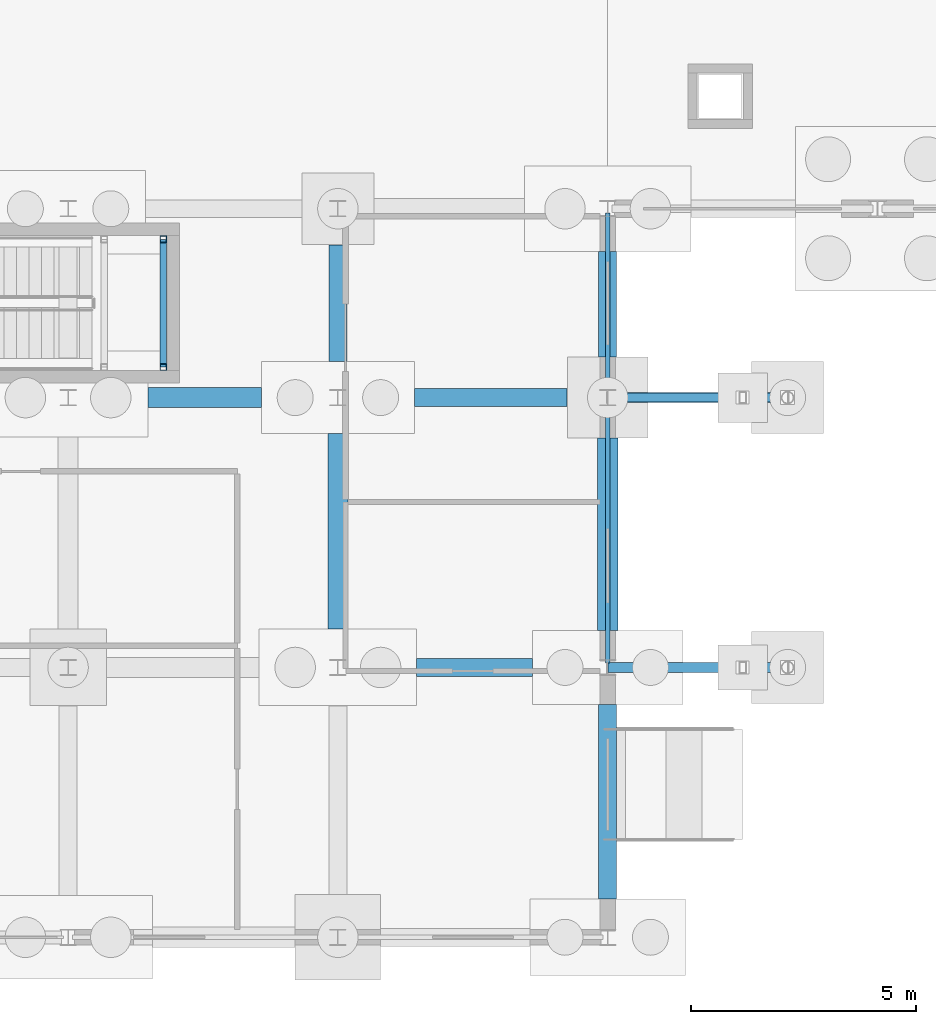
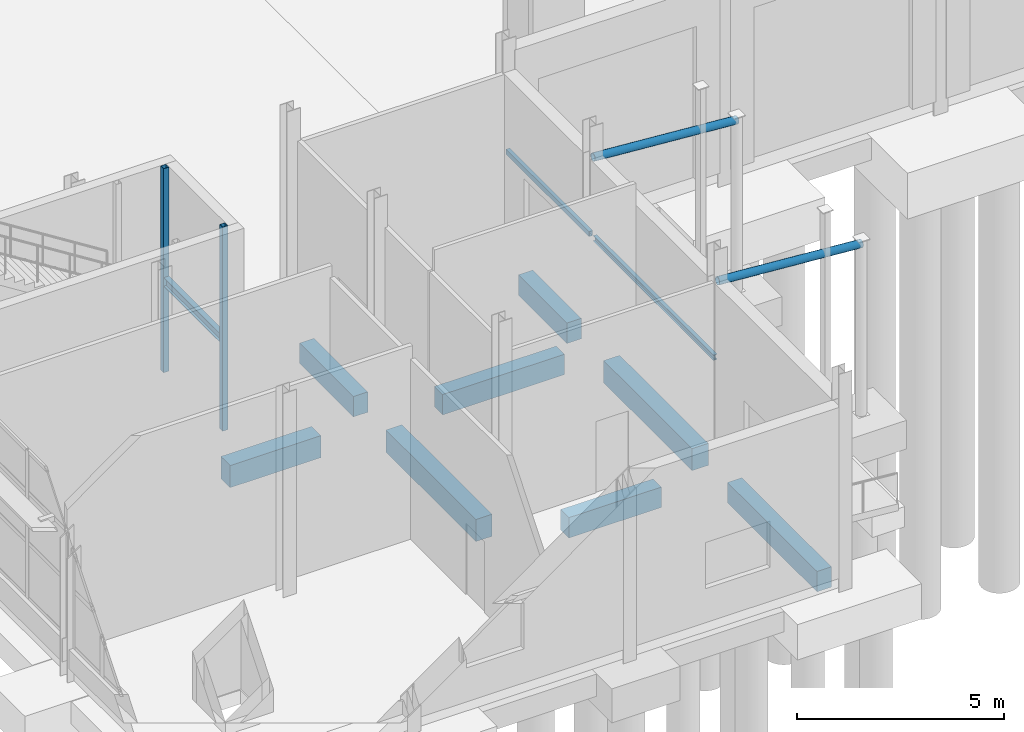
# One storey, part 32 of 120: 11 beams, 4 members.
"""IFC4 building model written with IfcOpenShell, lengths in metres."""

import ifcopenshell
import ifcopenshell.guid

model = None  # the IFC model being written
_history = None  # IfcOwnerHistory: only IFC2X3 demands one
_inside = {}  # id of a spatial element -> (the spatial element, [elements in it])
_under = {}  # id of a project, library or spatial element -> (it, [spatial elements below it])
_declared = {}  # id of a project -> (the project, [libraries it declares])
_typed = {}  # id of a type object -> (the type object, [elements of that type])
_made_of = {}  # id of a material, layer set ... -> (it, [elements and type objects made of it])


def new_model(schema):
    """Start an empty IFC model of exactly this schema.

    Asked for "IFC4X3", IfcOpenShell would pick the latest addendum, in which some entities
    have other attributes; the version numbers below select the first issue.
    IFC2X3 requires an IfcOwnerHistory on every rooted entity: one is made here for all.
    """
    global model, _history
    if schema == "IFC4X3":
        model = ifcopenshell.file(schema_version=(4, 3, 0, 0))
    else:
        model = ifcopenshell.file(schema=schema)
    _inside.clear()
    _under.clear()
    _declared.clear()
    _typed.clear()
    _made_of.clear()
    _history = None
    if model.schema == "IFC2X3":
        org = make("IfcOrganization", Name="unknown")
        user = make(
            "IfcPersonAndOrganization",
            ThePerson=make("IfcPerson", FamilyName="unknown"),
            TheOrganization=org,
        )
        app = make(
            "IfcApplication",
            ApplicationDeveloper=org,
            Version="unknown",
            ApplicationFullName="unknown",
            ApplicationIdentifier="unknown",
        )
        _history = make(
            "IfcOwnerHistory",
            OwningUser=user,
            OwningApplication=app,
            ChangeAction="ADDED",
            CreationDate=0,
        )
    return model


def make(cls, **values):
    """One entity of the class cls with the attributes given. An attribute that is None is left unset."""
    return model.create_entity(
        cls, **{name: value for name, value in values.items() if value is not None}
    )


def rooted(cls, **values):
    """An entity with a GlobalId (a new one), such as an element, a storey or a relation."""
    return make(cls, GlobalId=ifcopenshell.guid.new(), OwnerHistory=_history, **values)


def si_unit(unit_type, name, prefix=None):
    """IfcSIUnit, for example si_unit("LENGTHUNIT", "METRE", prefix="MILLI")."""
    return make("IfcSIUnit", UnitType=unit_type, Prefix=prefix, Name=name)


def assignment(units):
    """IfcUnitAssignment: the units of a project."""
    return None if units is None else make("IfcUnitAssignment", Units=units)


def point(xyz):
    """IfcCartesianPoint."""
    return None if xyz is None else make("IfcCartesianPoint", Coordinates=xyz)


def direction(xyz):
    """IfcDirection."""
    return None if xyz is None else make("IfcDirection", DirectionRatios=xyz)


def frame(location, z_axis=None, x_axis=None):
    """IfcAxis2Placement3D, a coordinate frame: its origin and axes. An axis left out is left unset."""
    return make(
        "IfcAxis2Placement3D",
        Location=point(location),
        Axis=direction(z_axis),
        RefDirection=direction(x_axis),
    )


def frame_2d(location, x_axis=None):
    """IfcAxis2Placement2D, a coordinate frame in the plane: its origin and x axis."""
    return make(
        "IfcAxis2Placement2D", Location=point(location), RefDirection=direction(x_axis)
    )


def origin():
    """The frame at (0, 0, 0) with its axes left unset."""
    return frame((0.0, 0.0, 0.0))


def origin_2d():
    """The frame at (0, 0) in the plane with its x axis left unset."""
    return frame_2d((0.0, 0.0))


def place(relative_to, where):
    """IfcLocalPlacement: puts the frame where relative to a parent placement (None: the world)."""
    return make(
        "IfcLocalPlacement", PlacementRelTo=relative_to, RelativePlacement=where
    )


def context(
    kind, dimensions, precision=None, world=None, true_north=None, identifier=None
):
    """IfcGeometricRepresentationContext, for example the 3D "Model" context."""
    return make(
        "IfcGeometricRepresentationContext",
        ContextIdentifier=identifier,
        ContextType=kind,
        CoordinateSpaceDimension=dimensions,
        Precision=precision,
        WorldCoordinateSystem=world,
        TrueNorth=true_north,
    )


def subcontext(parent, identifier, kind, view, scale=None):
    """IfcGeometricRepresentationSubContext, for example "Body" below "Model"."""
    return make(
        "IfcGeometricRepresentationSubContext",
        ContextIdentifier=identifier,
        ContextType=kind,
        ParentContext=parent,
        TargetScale=scale,
        TargetView=view,
    )


def project(units=None, contexts=None):
    """IfcProject with its units and contexts."""
    return rooted(
        "IfcProject",
        Name="project",
        RepresentationContexts=contexts,
        UnitsInContext=assignment(units),
    )


def spatial(cls, under=None, at=None, **own):
    """A site, building, storey or space (cls), placed at a placement, below another one or the project."""
    s = rooted(cls, ObjectPlacement=at, **own)
    if under is not None:
        _under.setdefault(under.id(), (under, []))[1].append(s)
    return s


def profile(cls, at=None, kind="AREA", **sizes):
    """A parametric profile (cls). Its sizes go by their IFC names, for example OverallWidth=200.0."""
    return make(cls, ProfileType=kind, Position=at, **sizes)


def rectangle(**sizes):
    """IfcRectangleProfileDef."""
    return profile("IfcRectangleProfileDef", **sizes)


def hollow_rectangle(**sizes):
    """IfcRectangleHollowProfileDef."""
    return profile("IfcRectangleHollowProfileDef", **sizes)


def hollow_circle(**sizes):
    """IfcCircleHollowProfileDef."""
    return profile("IfcCircleHollowProfileDef", **sizes)


def i_section(**sizes):
    """IfcIShapeProfileDef."""
    return profile("IfcIShapeProfileDef", **sizes)


def extrude(swept, where, along, depth):
    """IfcExtrudedAreaSolid: the profile swept, set in the frame where, extruded along a direction by depth."""
    return make(
        "IfcExtrudedAreaSolid",
        SweptArea=swept,
        Position=where,
        ExtrudedDirection=direction(along),
        Depth=depth,
    )


def shape(context_of_items, identifier, shape_type, items):
    """IfcShapeRepresentation: the items that make up one representation, for example the "Body"."""
    return make(
        "IfcShapeRepresentation",
        ContextOfItems=context_of_items,
        RepresentationIdentifier=identifier,
        RepresentationType=shape_type,
        Items=items,
    )


def material(Name=None, Category=None):
    """IfcMaterial."""
    return make("IfcMaterial", Name=Name, Category=Category)


def material_profile(
    of_material, cross_section, Name=None, Category=None, Priority=None
):
    """IfcMaterialProfile: a cross section and its material."""
    return make(
        "IfcMaterialProfile",
        Name=Name,
        Material=of_material,
        Profile=cross_section,
        Priority=Priority,
        Category=Category,
    )


def profile_set(profiles, Name=None, composite=None):
    """IfcMaterialProfileSet."""
    return make(
        "IfcMaterialProfileSet",
        Name=Name,
        MaterialProfiles=profiles,
        CompositeProfile=composite,
    )


def made_of(thing, what):
    """Note that an element or type object is made of a material, layer set ...; save() writes the relation."""
    if what is not None:
        _made_of.setdefault(what.id(), (what, []))[1].append(thing)
    return thing


def type_object(cls, material=None, **own):
    """A type object (cls), such as IfcWallType, which elements share."""
    return made_of(rooted(cls, **own), material)


def element(
    cls,
    number,
    at=None,
    inside=None,
    cuts=None,
    type_object=None,
    material=None,
    context=None,
    identifier="Body",
    shape_type=None,
    held_by="IfcProductDefinitionShape",
    body=None,
    shapes=None,
    **own,
):
    """One element of the class cls, such as IfcWall. Its Tag is "e" and its number.

    at: its placement. inside: the storey or other place that contains it. cuts: it is an
    opening in that element (IfcRelVoidsElement). A single representation is given by context,
    identifier, shape_type and body (its items); several are given by shapes. held_by: the class
    of the entity that holds the representations. save() writes the other relations.
    """
    e = rooted(cls, Tag="e%d" % number, ObjectPlacement=at, **own)
    if body is not None:
        shapes = [shape(context, identifier, shape_type, body)]
    if shapes is not None:
        e.Representation = make(held_by, Representations=shapes)
    if inside is not None:
        _inside.setdefault(inside.id(), (inside, []))[1].append(e)
    if cuts is not None:
        rooted(
            "IfcRelVoidsElement", RelatingBuildingElement=cuts, RelatedOpeningElement=e
        )
    if type_object is not None:
        _typed.setdefault(type_object.id(), (type_object, []))[1].append(e)
    return made_of(e, material)


def aggregate(whole, parts):
    """IfcRelAggregates: a whole, such as a stair, and the parts it consists of."""
    return rooted("IfcRelAggregates", RelatingObject=whole, RelatedObjects=parts)


def save(model, path):
    """Write the relations noted so far, then the file.

    IfcRelAggregates (storeys below a building ...), IfcRelContainedInSpatialStructure (elements
    in a storey), IfcRelDefinesByType, IfcRelAssociatesMaterial and IfcRelDeclares: one each for
    every whole, place, type object, material and project.
    """
    for whole, parts in _under.values():
        aggregate(whole, parts)
    for where, things in _inside.values():
        rooted(
            "IfcRelContainedInSpatialStructure",
            RelatedElements=things,
            RelatingStructure=where,
        )
    for kind, things in _typed.values():
        rooted("IfcRelDefinesByType", RelatedObjects=things, RelatingType=kind)
    for what, things in _made_of.values():
        rooted("IfcRelAssociatesMaterial", RelatedObjects=things, RelatingMaterial=what)
    for by, libraries in _declared.values():
        rooted("IfcRelDeclares", RelatingContext=by, RelatedDefinitions=libraries)
    model.write(path)


model = new_model("IFC4")

# Units and contexts
model_context = context("Model", 3, precision=1e-05, world=origin(), true_north=direction((0.0, 1.0)))
body_context = subcontext(model_context, "Body", "Model", "MODEL_VIEW")
ifc_project = project(units=[si_unit("LENGTHUNIT", "METRE"), si_unit("AREAUNIT", "SQUARE_METRE"), si_unit("VOLUMEUNIT", "CUBIC_METRE"), si_unit("PLANEANGLEUNIT", "RADIAN"), si_unit("MASSUNIT", "GRAM", prefix="KILO")], contexts=[model_context])

# Site, building, storey
site_placement = place(None, origin())
site = spatial("IfcSite", under=ifc_project, at=site_placement, CompositionType="ELEMENT")
building_placement = place(site_placement, origin())
building = spatial("IfcBuilding", under=site, at=building_placement, Name="Siltcreek Boulevard Central Fire Station", CompositionType="ELEMENT")
storey_placement = place(building_placement, origin())
storey = spatial("IfcBuildingStorey", under=building, at=storey_placement, Name="L01", CompositionType="ELEMENT", Elevation=0.0)

# Members
ifc_material_1 = material(Name="Structural steel ASTM A500 GrC", Category="steel")
ifc_material_profile_1 = material_profile(ifc_material_1, hollow_circle(Radius=0.109619140625, WallThickness=0.00830078125, at=origin_2d()), Name="HSS219.1X8.2")
ifc_profile_set_1 = profile_set([ifc_material_profile_1], Name="Structural steel ASTM A500 GrC")
member_type_1 = type_object("IfcMemberType", Name="BR_CHS219", PredefinedType="BRACE", material=ifc_profile_set_1)
for number, where, z_axis, x_axis, name in (
    (1, (64.0, 7.800048828125, 4.64990234375), (-0.997198401959, 0.0, 0.074802052979), (0.0, -1.0, 0.0), "Boulevard canopy tie strut CS-01"),
    (2, (64.0, 13.800048828125, 4.64990234375), (-0.997198401959, 0.0, 0.074802052979), (0.0, -1.0, 0.0), "Boulevard canopy tie strut CS-02"),
):
    element("IfcMember", number, at=place(storey_placement, frame(where, z_axis=z_axis, x_axis=x_axis)), inside=storey, type_object=member_type_1, Name=name, PredefinedType="BRACE", context=body_context, shape_type="SweptSolid", body=[
        extrude(hollow_circle(Radius=0.109619140625, WallThickness=0.00830078125, at=origin_2d()), origin(), (0.0, 0.0, 1.0), 4.01123046875),
    ])
ifc_material_profile_2 = material_profile(ifc_material_1, hollow_rectangle(XDim=0.14990234375, YDim=0.14990234375, WallThickness=0.008056640625, at=origin_2d()), Name="HSS150X150X8.0")
ifc_profile_set_2 = profile_set([ifc_material_profile_2], Name="Structural steel ASTM A500 GrC")
member_type_2 = type_object("IfcMemberType", Name="BR_HSS150_8", PredefinedType="BRACE", material=ifc_profile_set_2)
for number, where, z_axis, x_axis, name in (
    (3, (50.1201171875, 14.47998046875, 0.0), (0.0, 0.0, 1.0), (1.0, 0.0, 0.0), "L01 ST-V1P stair landing corner post SE"),
    (4, (50.1201171875, 17.320068359375, 0.0), (0.0, 0.0, 1.0), (1.0, 0.0, 0.0), "L01 ST-V1P stair landing corner post NE"),
):
    element("IfcMember", number, at=place(storey_placement, frame(where, z_axis=z_axis, x_axis=x_axis)), inside=storey, type_object=member_type_2, Name=name, PredefinedType="BRACE", context=body_context, shape_type="SweptSolid", body=[
        extrude(hollow_rectangle(XDim=0.14990234375, YDim=0.14990234375, WallThickness=0.008056640625, at=origin_2d()), origin(), (0.0, 0.0, 1.0), 6.0),
    ])

# Beams
ifc_material_2 = material(Name="Concrete C35/45", Category="concrete")
ifc_material_profile_3 = material_profile(ifc_material_2, rectangle(XDim=0.39990234375, YDim=0.60009765625, at=origin_2d()), Name="RC400X600")
ifc_profile_set_3 = profile_set([ifc_material_profile_3], Name="Concrete C35/45")
beam_type_1 = type_object("IfcBeamType", Name="GB_RC400X600", PredefinedType="USERDEFINED", material=ifc_profile_set_3)
beam_1_placement = place(storey_placement, frame((55.751953125, 7.800048828125, -0.7099609375), z_axis=(1.0, 0.0, 0.0), x_axis=(0.0, 1.0, 0.0)))
element("IfcBeam", 5, at=beam_1_placement, inside=storey, type_object=beam_type_1, Name="Reinforced concrete tie grade beam GB-013", ObjectType="GRADE BEAM", PredefinedType="USERDEFINED", context=body_context, shape_type="SweptSolid", body=[
    extrude(rectangle(XDim=0.39990234375, YDim=0.60009765625, at=origin_2d()), origin(), (0.0, 0.0, 1.0), 2.571044921875),
])
beam_2_placement = place(storey_placement, frame((55.701904296875, 13.800048828125, -0.7099609375), z_axis=(1.0, 0.0, 0.0), x_axis=(0.0, 1.0, 0.0)))
element("IfcBeam", 6, at=beam_2_placement, inside=storey, type_object=beam_type_1, Name="Reinforced concrete tie grade beam GB-019", ObjectType="GRADE BEAM", PredefinedType="USERDEFINED", context=body_context, shape_type="SweptSolid", body=[
    extrude(rectangle(XDim=0.39990234375, YDim=0.60009765625, at=origin_2d()), origin(), (0.0, 0.0, 1.0), 3.39599609375),
])
beam_3_placement = place(storey_placement, frame((54.0, 14.60205078125, -0.7099609375), z_axis=(0.0, 1.0, 0.0), x_axis=(-1.0, 0.0, 0.0)))
element("IfcBeam", 7, at=beam_3_placement, inside=storey, type_object=beam_type_1, Name="Reinforced concrete tie grade beam GB-163", ObjectType="GRADE BEAM", PredefinedType="USERDEFINED", context=body_context, shape_type="SweptSolid", body=[
    extrude(rectangle(XDim=0.39990234375, YDim=0.60009765625, at=origin_2d()), origin(), (0.0, 0.0, 1.0), 2.595947265625),
])
beam_4_placement = place(storey_placement, frame((60.0, 2.652099609375, -0.7099609375), z_axis=(0.0, 1.0, 0.0), x_axis=(-1.0, 0.0, 0.0)))
element("IfcBeam", 8, at=beam_4_placement, inside=storey, type_object=beam_type_1, Name="Reinforced concrete tie grade beam GB-169", ObjectType="GRADE BEAM", PredefinedType="USERDEFINED", context=body_context, shape_type="SweptSolid", body=[
    extrude(rectangle(XDim=0.39990234375, YDim=0.60009765625, at=origin_2d()), origin(), (0.0, 0.0, 1.0), 4.32080078125),
])
beam_5_placement = place(storey_placement, frame((60.0, 14.701904296875, -0.7099609375), z_axis=(0.0, 1.0, 0.0), x_axis=(-1.0, 0.0, 0.0)))
element("IfcBeam", 9, at=beam_5_placement, inside=storey, type_object=beam_type_1, Name="Reinforced concrete tie grade beam GB-171", ObjectType="GRADE BEAM", PredefinedType="USERDEFINED", context=body_context, shape_type="SweptSolid", body=[
    extrude(rectangle(XDim=0.39990234375, YDim=0.60009765625, at=origin_2d()), origin(), (0.0, 0.0, 1.0), 2.34619140625),
])
ifc_material_profile_4 = material_profile(ifc_material_2, rectangle(XDim=0.449951171875, YDim=0.64990234375, at=origin_2d()), Name="RC450X650")
ifc_profile_set_4 = profile_set([ifc_material_profile_4], Name="Concrete C35/45")
beam_type_2 = type_object("IfcBeamType", Name="GB_RC450X650", PredefinedType="USERDEFINED", material=ifc_profile_set_4)
beam_6_placement = place(storey_placement, frame((49.777099609375, 13.800048828125, -0.735107421875), z_axis=(1.0, 0.0, 0.0), x_axis=(0.0, 1.0, 0.0)))
element("IfcBeam", 10, at=beam_6_placement, inside=storey, type_object=beam_type_2, Name="Reinforced concrete tie grade beam GB-018", ObjectType="GRADE BEAM", PredefinedType="USERDEFINED", context=body_context, shape_type="SweptSolid", body=[
    extrude(rectangle(XDim=0.449951171875, YDim=0.64990234375, at=origin_2d()), origin(), (0.0, 0.0, 1.0), 2.52099609375),
])
beam_7_placement = place(storey_placement, frame((54.0, 8.652099609375, -0.735107421875), z_axis=(0.0, 1.0, 0.0), x_axis=(-1.0, 0.0, 0.0)))
element("IfcBeam", 11, at=beam_7_placement, inside=storey, type_object=beam_type_2, Name="Reinforced concrete tie grade beam GB-162", ObjectType="GRADE BEAM", PredefinedType="USERDEFINED", context=body_context, shape_type="SweptSolid", body=[
    extrude(rectangle(XDim=0.449951171875, YDim=0.64990234375, at=origin_2d()), origin(), (0.0, 0.0, 1.0), 4.345947265625),
])
beam_8_placement = place(storey_placement, frame((60.0, 8.626953125, -0.735107421875), z_axis=(0.0, 1.0, 0.0), x_axis=(-1.0, 0.0, 0.0)))
element("IfcBeam", 12, at=beam_8_placement, inside=storey, type_object=beam_type_2, Name="Reinforced concrete tie grade beam GB-170", ObjectType="GRADE BEAM", PredefinedType="USERDEFINED", context=body_context, shape_type="SweptSolid", body=[
    extrude(rectangle(XDim=0.449951171875, YDim=0.64990234375, at=origin_2d()), origin(), (0.0, 0.0, 1.0), 4.27099609375),
])
ifc_material_3 = material(Name="Structural steel ASTM A992 Gr50", Category="steel")
ifc_material_profile_5 = material_profile(ifc_material_3, i_section(OverallWidth=0.14697265625, OverallDepth=0.261962890625, WebThickness=0.006591796875, FlangeThickness=0.01123046875, at=origin_2d()), Name="W250X39")
ifc_profile_set_5 = profile_set([ifc_material_profile_5], Name="Structural steel ASTM A992 Gr50")
beam_type_3 = type_object("IfcBeamType", Name="JST_W250X39", PredefinedType="JOIST", material=ifc_profile_set_5)
beam_9_placement = place(storey_placement, frame((50.1201171875, 14.47998046875, 2.6689453125), z_axis=(0.0, 1.0, 0.0), x_axis=(-1.0, 0.0, 0.0)))
element("IfcBeam", 13, at=beam_9_placement, inside=storey, type_object=beam_type_3, Name="L01 ST-V1P stair landing bearer MIDE", PredefinedType="JOIST", context=body_context, shape_type="SweptSolid", body=[
    extrude(i_section(OverallWidth=0.14697265625, OverallDepth=0.261962890625, WebThickness=0.006591796875, FlangeThickness=0.01123046875, at=origin_2d()), origin(), (0.0, 0.0, 1.0), 2.840087890625),
])
ifc_material_profile_6 = material_profile(ifc_material_1, hollow_rectangle(XDim=0.10009765625, YDim=0.14990234375, WallThickness=0.00634765625, at=origin_2d()), Name="HSS150X100X6.4")
ifc_profile_set_6 = profile_set([ifc_material_profile_6], Name="Structural steel ASTM A500 GrC")
beam_type_4 = type_object("IfcBeamType", Name="LIN_HSS150X100", PredefinedType="LINTEL", material=ifc_profile_set_6)
beam_10_placement = place(storey_placement, frame((60.0, 13.89990234375, 2.639892578125), z_axis=(0.0, 1.0, 0.0), x_axis=(-1.0, 0.0, 0.0)))
element("IfcBeam", 14, at=beam_10_placement, inside=storey, type_object=beam_type_4, Name="Exterior window steel lintel WLN-15", PredefinedType="LINTEL", context=body_context, shape_type="SweptSolid", body=[
    extrude(hollow_rectangle(XDim=0.10009765625, YDim=0.14990234375, WallThickness=0.00634765625, at=origin_2d()), origin(), (0.0, 0.0, 1.0), 4.0),
])
ifc_material_profile_7 = material_profile(ifc_material_3, i_section(OverallWidth=0.10205078125, OverallDepth=0.159912109375, WebThickness=0.006591796875, FlangeThickness=0.01025390625, at=origin_2d()), Name="W150X24")
ifc_profile_set_7 = profile_set([ifc_material_profile_7], Name="Structural steel ASTM A992 Gr50")
beam_type_5 = type_object("IfcBeamType", Name="LIN_W150X24", PredefinedType="LINTEL", material=ifc_profile_set_7)
beam_11_placement = place(storey_placement, frame((60.0, 7.89990234375, 2.639892578125), z_axis=(0.0, 1.0, 0.0), x_axis=(-1.0, 0.0, 0.0)))
element("IfcBeam", 15, at=beam_11_placement, inside=storey, type_object=beam_type_5, Name="Exterior window steel lintel WLN-14", PredefinedType="LINTEL", context=body_context, shape_type="SweptSolid", body=[
    extrude(i_section(OverallWidth=0.10205078125, OverallDepth=0.159912109375, WebThickness=0.006591796875, FlangeThickness=0.01025390625, at=origin_2d()), origin(), (0.0, 0.0, 1.0), 5.800048828125),
])

save(model, "model.ifc")
